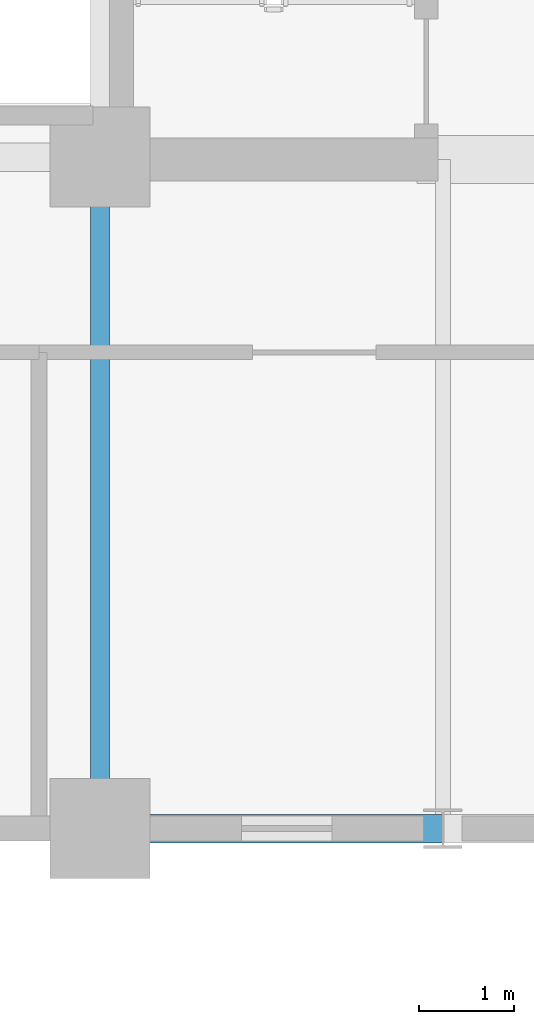
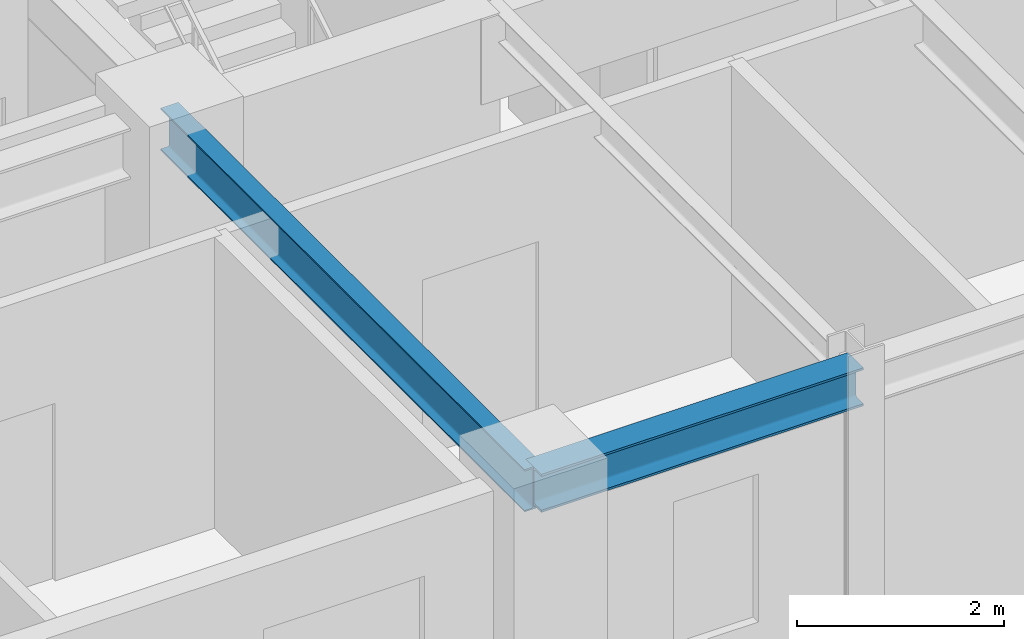
# One storey, part 4 of 20: 2 beams.
"""IFC4 building model written with IfcOpenShell, lengths in metres."""

from ifc_helpers import new_model, si_unit, direction, frame, origin, origin_2d, place, context, subcontext, project, spatial, i_section, extrude, source, transform, mapped, material, material_profile, profile_set, type_object, element, save


model = new_model("IFC4")

# Units and contexts
model_context = context("Model", 3, precision=1e-05, world=origin(), true_north=direction((0.0, 1.0)))
body_context = subcontext(model_context, "Body", "Model", "MODEL_VIEW")
ifc_project = project(units=[si_unit("LENGTHUNIT", "METRE"), si_unit("AREAUNIT", "SQUARE_METRE"), si_unit("VOLUMEUNIT", "CUBIC_METRE"), si_unit("PLANEANGLEUNIT", "RADIAN"), si_unit("MASSUNIT", "GRAM", prefix="KILO")], contexts=[model_context])

# Site, building, storey
site_placement = place(None, origin())
site = spatial("IfcSite", under=ifc_project, at=site_placement, CompositionType="ELEMENT")
building_placement = place(site_placement, origin())
building = spatial("IfcBuilding", under=site, at=building_placement, Name="Kaliganga Portal Commons", CompositionType="ELEMENT")
storey_placement = place(building_placement, frame((0.0, 0.0, 155.0)))
storey = spatial("IfcBuildingStorey", under=building, at=storey_placement, Name="L39", CompositionType="ELEMENT", Elevation=155.0)

# Beams
ifc_material = material(Name="Structural steel S355J2", Category="steel")
ifc_material_profile_1 = material_profile(ifc_material, i_section(OverallWidth=0.199951171875, OverallDepth=0.5, WebThickness=0.01025390625, FlangeThickness=0.01611328125, FilletRadius=0.02099609375, at=origin_2d()), Name="IPE 500")
ifc_profile_set_1 = profile_set([ifc_material_profile_1], Name="Structural steel S355J2 wide-flange")
beam_type_1 = type_object("IfcBeamType", Name="BM-FLR-500", PredefinedType="BEAM", material=ifc_profile_set_1)
shared_shape_1 = source(origin(), body_context, "Body", "SweptSolid", [
    extrude(i_section(OverallWidth=0.199951171875, OverallDepth=0.5, WebThickness=0.01025390625, FlangeThickness=0.01611328125, FilletRadius=0.02099609375, at=origin_2d()), origin(), (0.0, 0.0, 1.0), 7.0498046875),
])
beam_1_placement = place(storey_placement, frame((14.39990234375, 21.60009765625, 3.2099609375), z_axis=(0.0, 1.0, 0.0), x_axis=(-1.0, 0.0, 0.0)))
element("IfcBeam", 1, at=beam_1_placement, inside=storey, type_object=beam_type_1, Name="BM G L39 AS144", PredefinedType="BEAM", context=body_context, shape_type="MappedRepresentation", body=[
    mapped(shared_shape_1, transform((0.0, 0.0, 0.0), x_axis=(1.0, 0.0, 0.0), y_axis=(0.0, 1.0, 0.0), z_axis=(0.0, 0.0, 1.0), scale=1.0)),
])
ifc_material_profile_2 = material_profile(ifc_material, i_section(OverallWidth=0.300048828125, OverallDepth=0.449951171875, WebThickness=0.013916015625, FlangeThickness=0.02587890625, FilletRadius=0.027099609375, at=origin_2d()), Name="HE 450 B")
ifc_profile_set_2 = profile_set([ifc_material_profile_2], Name="Structural steel S355J2 wide-flange")
beam_type_2 = type_object("IfcBeamType", Name="BM-SPAND-450", PredefinedType="SPANDREL", material=ifc_profile_set_2)
shared_shape_2 = source(origin(), body_context, "Body", "SweptSolid", [
    extrude(i_section(OverallWidth=0.300048828125, OverallDepth=0.449951171875, WebThickness=0.013916015625, FlangeThickness=0.02587890625, FilletRadius=0.027099609375, at=origin_2d()), origin(), (0.0, 0.0, 1.0), 3.60009765625),
])
beam_2_placement = place(storey_placement, frame((14.39990234375, 21.60009765625, 3.235107421875), z_axis=(1.0, 0.0, 0.0), x_axis=(0.0, 1.0, 0.0)))
element("IfcBeam", 2, at=beam_2_placement, inside=storey, type_object=beam_type_2, Name="BM SP L39 AS 1", PredefinedType="SPANDREL", context=body_context, shape_type="MappedRepresentation", body=[
    mapped(shared_shape_2, transform((0.0, 0.0, 0.0), x_axis=(1.0, 0.0, 0.0), y_axis=(0.0, 1.0, 0.0), z_axis=(0.0, 0.0, 1.0), scale=1.0)),
])

save(model, "model.ifc")
